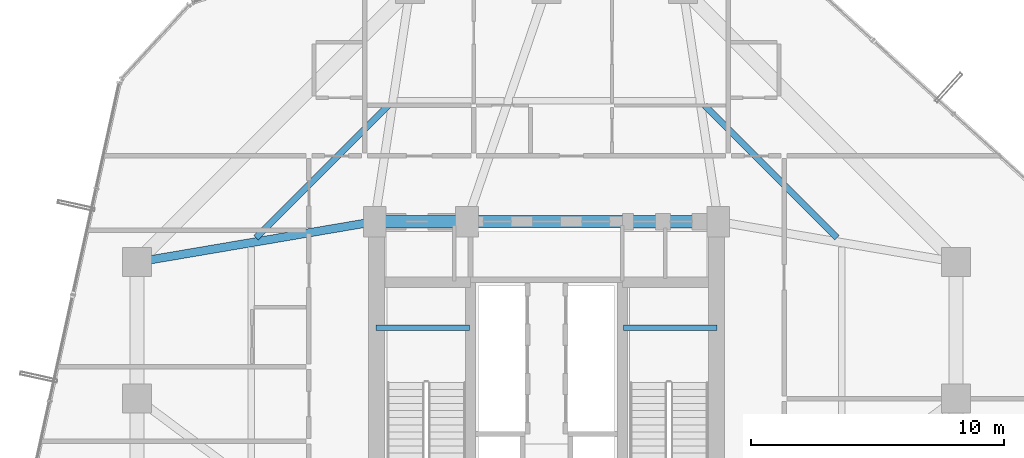
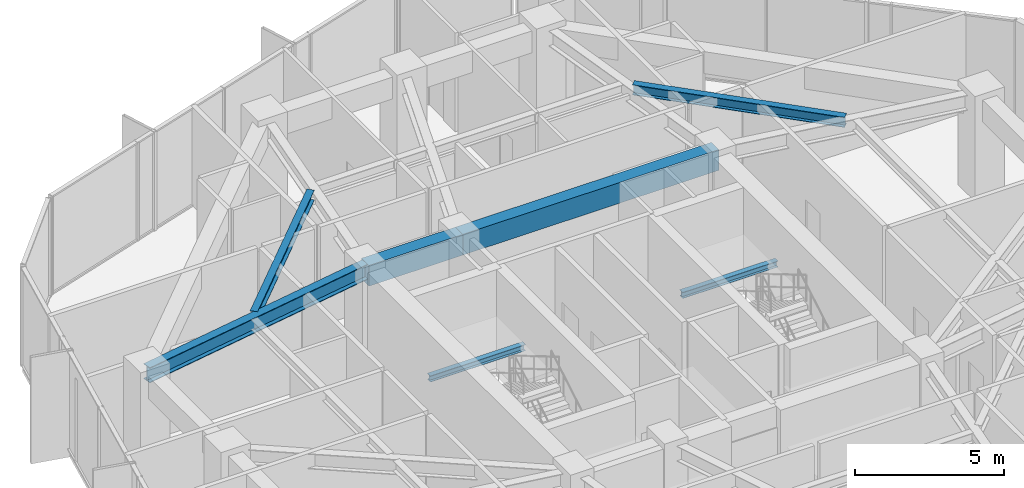
# One storey, part 12 of 28: 7 beams.
"""IFC4 building model written with IfcOpenShell, lengths in metres."""

from ifc_helpers import new_model, si_unit, direction, frame, origin, origin_2d, place, context, subcontext, project, spatial, rectangle, i_section, extrude, material, material_profile, profile_set, type_object, element, save


model = new_model("IFC4")

# Units and contexts
model_context = context("Model", 3, precision=1e-05, world=origin(), true_north=direction((0.0, 1.0)))
body_context = subcontext(model_context, "Body", "Model", "MODEL_VIEW")
ifc_project = project(units=[si_unit("LENGTHUNIT", "METRE"), si_unit("AREAUNIT", "SQUARE_METRE"), si_unit("VOLUMEUNIT", "CUBIC_METRE"), si_unit("PLANEANGLEUNIT", "RADIAN"), si_unit("MASSUNIT", "GRAM", prefix="KILO")], contexts=[model_context])

# Site, building, storey
site_placement = place(None, origin())
site = spatial("IfcSite", under=ifc_project, at=site_placement, CompositionType="ELEMENT")
building_placement = place(site_placement, origin())
building = spatial("IfcBuilding", under=site, at=building_placement, Name="Veraguas Prism Commons", CompositionType="ELEMENT")
storey_placement = place(building_placement, frame((0.0, 0.0, 85.14990234375)))
storey = spatial("IfcBuildingStorey", under=building, at=storey_placement, Name="L23", CompositionType="ELEMENT", Elevation=85.14990234375)

# Beams
ifc_material_1 = material(Name="Concrete C50/60", Category="concrete")
ifc_material_profile_1 = material_profile(ifc_material_1, rectangle(XDim=0.5, YDim=0.85009765625, at=origin_2d()), Name="RC500X850")
ifc_profile_set_1 = profile_set([ifc_material_profile_1], Name="Concrete C50/60")
beam_type_1 = type_object("IfcBeamType", Name="Core Coupling Beam RC 500x850", PredefinedType="BEAM", material=ifc_profile_set_1)
beam_1_placement = place(storey_placement, frame((17.199951171875, 31.0, 3.625), z_axis=(1.0, 0.0, 0.0), x_axis=(0.0, 1.0, 0.0)))
element("IfcBeam", 1, at=beam_1_placement, inside=storey, type_object=beam_type_1, Name="Core Coupling Beam L23-CRN1", PredefinedType="BEAM", context=body_context, shape_type="SweptSolid", body=[
    extrude(rectangle(XDim=0.5, YDim=0.85009765625, at=origin_2d()), origin(), (0.0, 0.0, 1.0), 3.650146484375),
])
beam_2_placement = place(storey_placement, frame((20.85009765625, 31.0, 3.625), z_axis=(1.0, 0.0, 0.0), x_axis=(0.0, 1.0, 0.0)))
element("IfcBeam", 2, at=beam_2_placement, inside=storey, type_object=beam_type_1, Name="Core Coupling Beam L23-CRN2", PredefinedType="BEAM", context=body_context, shape_type="SweptSolid", body=[
    extrude(rectangle(XDim=0.5, YDim=0.85009765625, at=origin_2d()), origin(), (0.0, 0.0, 1.0), 9.949951171875),
])
ifc_material_2 = material(Name="Steel ASTM A992 Grade 50", Category="steel")
ifc_material_profile_2 = material_profile(ifc_material_2, i_section(OverallWidth=0.260986328125, OverallDepth=0.419921875, WebThickness=0.01171875, FlangeThickness=0.019287109375, at=origin_2d()), Name="W410X114")
ifc_profile_set_2 = profile_set([ifc_material_profile_2], Name="Steel ASTM A992 Grade 50")
beam_type_2 = type_object("IfcBeamType", Name="Lower Floor Joist W410x114", PredefinedType="JOIST", material=ifc_profile_set_2)
for number, where, z_axis, x_axis, name in (
    (3, (35.489990234375, 30.365966796875, 3.840087890625), (-0.707090260193, 0.707123301794, 0.0), (-0.707123301794, -0.707090260193, 0.0), "Composite Floor Joist L23-JS03"),
    (4, (17.734619140625, 35.5908203125, 3.840087890625), (-0.707090260193, -0.707123301794, 0.0), (0.707123301794, -0.707090260193, 0.0), "Composite Floor Joist L23-JS06"),
):
    element("IfcBeam", number, at=place(storey_placement, frame(where, z_axis=z_axis, x_axis=x_axis)), inside=storey, type_object=beam_type_2, Name=name, PredefinedType="JOIST", context=body_context, shape_type="SweptSolid", body=[
        extrude(i_section(OverallWidth=0.260986328125, OverallDepth=0.419921875, WebThickness=0.01171875, FlangeThickness=0.019287109375, at=origin_2d()), origin(), (0.0, 0.0, 1.0), 7.388916015625),
    ])
ifc_material_profile_3 = material_profile(ifc_material_2, i_section(OverallWidth=0.202880859375, OverallDepth=0.251953125, WebThickness=0.008056640625, FlangeThickness=0.013427734375, at=origin_2d()), Name="W250X58")
ifc_profile_set_3 = profile_set([ifc_material_profile_3], Name="Steel ASTM A992 Grade 50")
beam_type_3 = type_object("IfcBeamType", Name="Structural Opening Lintel W250x58", PredefinedType="LINTEL", material=ifc_profile_set_3)
for number, where, z_axis, x_axis, name in (
    (5, (17.25, 26.800048828125, 1.82421875), (1.0, 0.0, 0.0), (0.0, 1.0, 0.0), "Stair ST-01 Half-Landing Support Beam L23-1"),
    (6, (27.050048828125, 26.800048828125, 1.82421875), (1.0, 0.0, 0.0), (0.0, 1.0, 0.0), "Stair ST-02 Half-Landing Support Beam L23-1"),
):
    element("IfcBeam", number, at=place(storey_placement, frame(where, z_axis=z_axis, x_axis=x_axis)), inside=storey, type_object=beam_type_3, Name=name, PredefinedType="LINTEL", context=body_context, shape_type="SweptSolid", body=[
        extrude(i_section(OverallWidth=0.202880859375, OverallDepth=0.251953125, WebThickness=0.008056640625, FlangeThickness=0.013427734375, at=origin_2d()), origin(), (0.0, 0.0, 1.0), 3.699951171875),
    ])
ifc_material_profile_4 = material_profile(ifc_material_2, i_section(OverallWidth=0.327880859375, OverallDepth=0.6220703125, WebThickness=0.015380859375, FlangeThickness=0.0244140625, at=origin_2d()), Name="W610X195")
ifc_profile_set_4 = profile_set([ifc_material_profile_4], Name="Steel ASTM A992 Grade 50")
beam_type_4 = type_object("IfcBeamType", Name="Zone 2 Radial Girder W610x195", PredefinedType="BEAM", material=ifc_profile_set_4)
beam_3_placement = place(storey_placement, frame((7.800048828125, 29.39990234375, 3.739013671875), z_axis=(0.985819187151, 0.1678109956, 0.0), x_axis=(-0.1678109956, 0.985819187151, 0.0)))
element("IfcBeam", 7, at=beam_3_placement, inside=storey, type_object=beam_type_4, Name="Radial Floor Girder L23-RD07", PredefinedType="BEAM", context=body_context, shape_type="SweptSolid", body=[
    extrude(i_section(OverallWidth=0.327880859375, OverallDepth=0.6220703125, WebThickness=0.015380859375, FlangeThickness=0.0244140625, at=origin_2d()), origin(), (0.0, 0.0, 1.0), 9.53515625),
])

save(model, "model.ifc")
